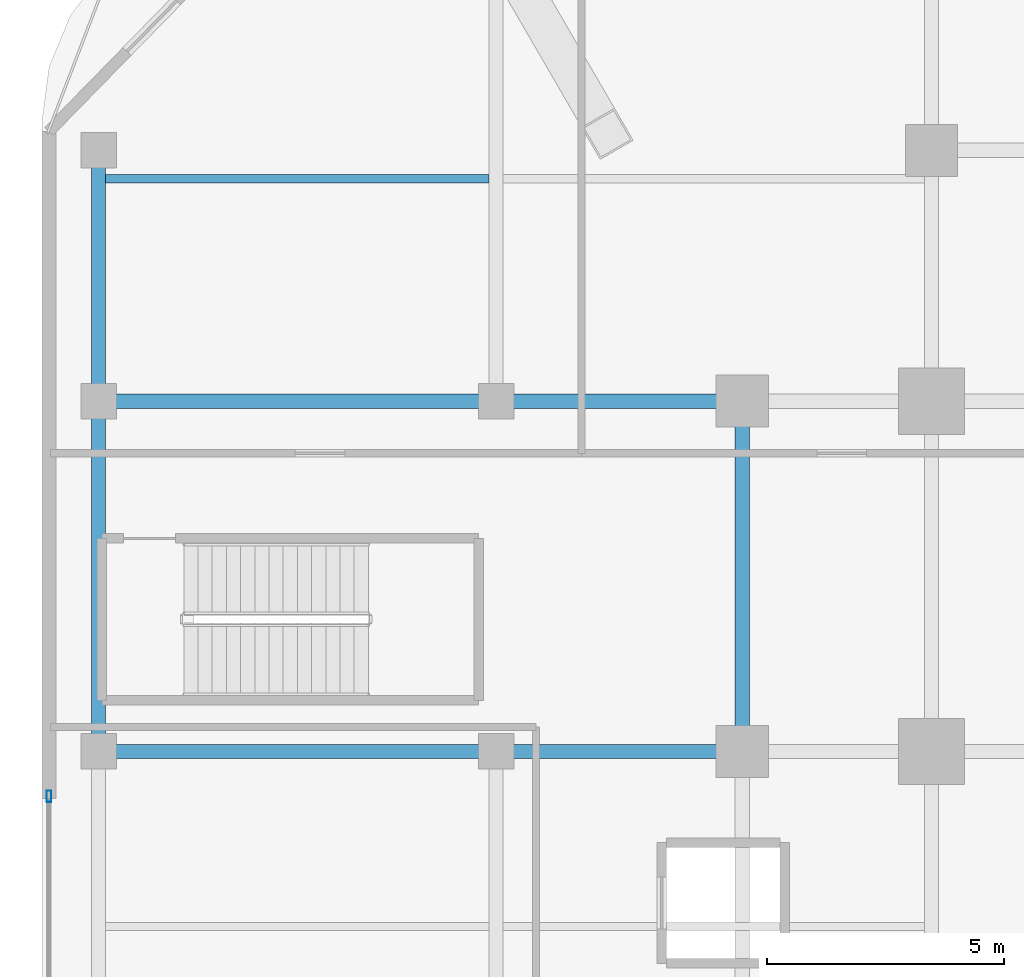
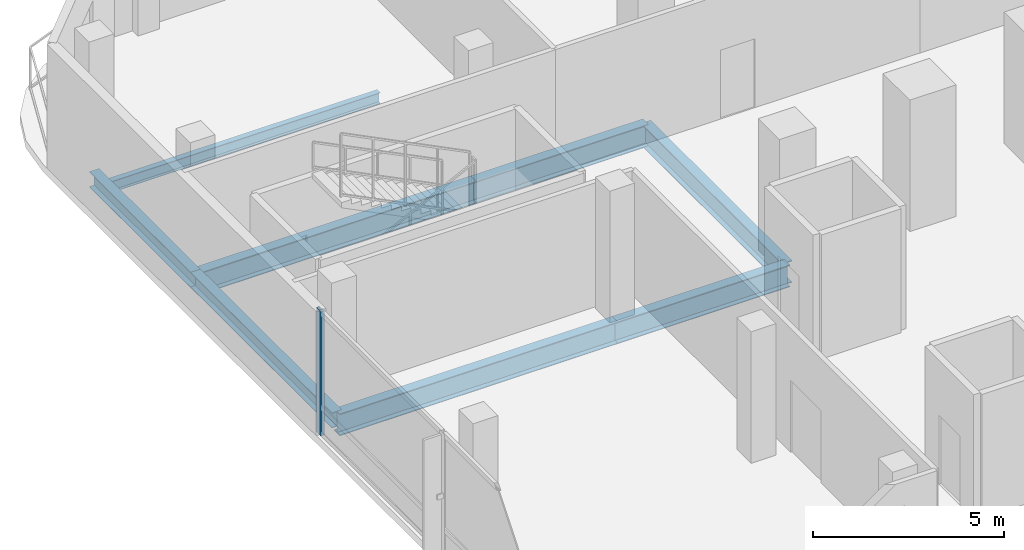
# One storey, part 4 of 19: 8 beams, 1 member, 1 element without a shape of its own.
"""IFC4 building model written with IfcOpenShell, lengths in metres."""

from ifc_helpers import new_model, si_unit, direction, frame, origin, origin_2d, place, context, subcontext, project, spatial, hollow_rectangle, i_section, extrude, material, layer, layer_set, material_profile, profile_set, type_object, element, aggregate, save


model = new_model("IFC4")

# Units and contexts
model_context = context("Model", 3, precision=1e-05, world=origin(), true_north=direction((0.0, 1.0)))
body_context = subcontext(model_context, "Body", "Model", "MODEL_VIEW")
ifc_project = project(units=[si_unit("LENGTHUNIT", "METRE"), si_unit("AREAUNIT", "SQUARE_METRE"), si_unit("VOLUMEUNIT", "CUBIC_METRE"), si_unit("PLANEANGLEUNIT", "RADIAN"), si_unit("MASSUNIT", "GRAM", prefix="KILO")], contexts=[model_context])

# Site, building, storey
site_placement = place(None, origin())
site = spatial("IfcSite", under=ifc_project, at=site_placement, CompositionType="ELEMENT")
building_placement = place(site_placement, origin())
building = spatial("IfcBuilding", under=site, at=building_placement, Name="Khorvyn Point Tower", CompositionType="ELEMENT")
storey_placement = place(building_placement, frame((0.0, 0.0, 4.800048828125)))
storey = spatial("IfcBuildingStorey", under=building, at=storey_placement, Name="L02", CompositionType="ELEMENT", Elevation=4.800048828125)

# Curtain wall, member
ifc_material_1 = material(Name="Anodised aluminium 6063-T6 and laminated Low-E glass", Category="aluminium")
ifc_layer = layer(ifc_material_1, 0.18994140625)
ifc_layer_set = layer_set([ifc_layer], Name="Stick-Built Low-E Podium Curtain Wall CW-SYS-01")
curtain_wall_type = type_object("IfcCurtainWallType", Name="Stick-Built Low-E Podium Curtain Wall CW-SYS-01", PredefinedType="NOTDEFINED", material=ifc_layer_set)
curtain_wall_placement = place(storey_placement, origin())
curtain_wall = element("IfcCurtainWall", 1, at=curtain_wall_placement, inside=storey, type_object=curtain_wall_type, Name="Curtain Wall", PredefinedType="NOTDEFINED")
ifc_material_2 = material(Name="Anodised aluminium 6063-T6", Category="aluminium")
ifc_material_profile_1 = material_profile(ifc_material_2, hollow_rectangle(XDim=0.10009765625, YDim=0.239990234375, WallThickness=0.0048828125, at=origin_2d()))
ifc_profile_set_1 = profile_set([ifc_material_profile_1], Name="Anodised aluminium 6063-T6 ALU-MUL-100x240")
member_type = type_object("IfcMemberType", Name="Anodised Aluminium 6063-T6 Mullion ALU-MUL-100x240", PredefinedType="MULLION", material=ifc_profile_set_1)
member_placement = place(storey_placement, frame((-33.449951171875, 6.449951171875, 0.0), z_axis=(0.0, 0.0, 1.0), x_axis=(-1.0, 0.0, 0.0)))
member = element("IfcMember", 2, at=member_placement, type_object=member_type, Name="Transom", PredefinedType="MULLION", context=body_context, shape_type="SweptSolid", body=[
    extrude(hollow_rectangle(XDim=0.10009765625, YDim=0.239990234375, WallThickness=0.0048828125, at=origin_2d()), origin(), (0.0, 0.0, 1.0), 3.9599609375),
])
aggregate(curtain_wall, [member])

# Beams
ifc_material_3 = material(Name="Steel S355", Category="steel")
ifc_material_profile_2 = material_profile(ifc_material_3, i_section(OverallWidth=0.300048828125, OverallDepth=0.699951171875, WebThickness=0.012939453125, FlangeThickness=0.02392578125, at=origin_2d()))
ifc_profile_set_2 = profile_set([ifc_material_profile_2], Name="Steel S355 H700x300x13x24")
beam_type_1 = type_object("IfcBeamType", Name="Steel S355 Beam H700x300x13x24", PredefinedType="BEAM", material=ifc_profile_set_2)
beam_1_placement = place(storey_placement, frame((-32.39990234375, 7.39990234375, -0.590087890625), z_axis=(1.0, 0.0, 0.0), x_axis=(0.0, 1.0, 0.0)))
element("IfcBeam", 3, at=beam_1_placement, inside=storey, type_object=beam_type_1, Name="Beam", PredefinedType="BEAM", context=body_context, shape_type="SweptSolid", body=[
    extrude(i_section(OverallWidth=0.300048828125, OverallDepth=0.699951171875, WebThickness=0.012939453125, FlangeThickness=0.02392578125, at=origin_2d()), origin(), (0.0, 0.0, 1.0), 8.39990234375),
])
beam_2_placement = place(storey_placement, frame((-24.0, 7.39990234375, -0.590087890625), z_axis=(1.0, 0.0, 0.0), x_axis=(0.0, 1.0, 0.0)))
element("IfcBeam", 4, at=beam_2_placement, inside=storey, type_object=beam_type_1, Name="Beam", PredefinedType="BEAM", context=body_context, shape_type="SweptSolid", body=[
    extrude(i_section(OverallWidth=0.300048828125, OverallDepth=0.699951171875, WebThickness=0.012939453125, FlangeThickness=0.02392578125, at=origin_2d()), origin(), (0.0, 0.0, 1.0), 5.199951171875),
])
beam_3_placement = place(storey_placement, frame((-32.39990234375, 14.800048828125, -0.590087890625), z_axis=(1.0, 0.0, 0.0), x_axis=(0.0, 1.0, 0.0)))
element("IfcBeam", 5, at=beam_3_placement, inside=storey, type_object=beam_type_1, Name="Beam", PredefinedType="BEAM", context=body_context, shape_type="SweptSolid", body=[
    extrude(i_section(OverallWidth=0.300048828125, OverallDepth=0.699951171875, WebThickness=0.012939453125, FlangeThickness=0.02392578125, at=origin_2d()), origin(), (0.0, 0.0, 1.0), 8.39990234375),
])
beam_4_placement = place(storey_placement, frame((-24.0, 14.800048828125, -0.590087890625), z_axis=(1.0, 0.0, 0.0), x_axis=(0.0, 1.0, 0.0)))
element("IfcBeam", 6, at=beam_4_placement, inside=storey, type_object=beam_type_1, Name="Beam", PredefinedType="BEAM", context=body_context, shape_type="SweptSolid", body=[
    extrude(i_section(OverallWidth=0.300048828125, OverallDepth=0.699951171875, WebThickness=0.012939453125, FlangeThickness=0.02392578125, at=origin_2d()), origin(), (0.0, 0.0, 1.0), 5.199951171875),
])
beam_5_placement = place(storey_placement, frame((-18.800048828125, 7.39990234375, -0.590087890625), z_axis=(0.0, 1.0, 0.0), x_axis=(-1.0, 0.0, 0.0)))
element("IfcBeam", 7, at=beam_5_placement, inside=storey, type_object=beam_type_1, Name="Beam", PredefinedType="BEAM", context=body_context, shape_type="SweptSolid", body=[
    extrude(i_section(OverallWidth=0.300048828125, OverallDepth=0.699951171875, WebThickness=0.012939453125, FlangeThickness=0.02392578125, at=origin_2d()), origin(), (0.0, 0.0, 1.0), 7.400146484375),
])
ifc_material_profile_3 = material_profile(ifc_material_3, i_section(OverallWidth=0.175048828125, OverallDepth=0.35009765625, WebThickness=0.007080078125, FlangeThickness=0.010986328125, at=origin_2d()))
ifc_profile_set_3 = profile_set([ifc_material_profile_3], Name="Steel S355 H350x175x7x11")
beam_type_2 = type_object("IfcBeamType", Name="Steel S355 Joist H350x175x7x11", PredefinedType="JOIST", material=ifc_profile_set_3)
beam_6_placement = place(storey_placement, frame((-32.25, 19.5, -0.4150390625), z_axis=(1.0, 0.0, 0.0), x_axis=(0.0, 1.0, 0.0)))
element("IfcBeam", 8, at=beam_6_placement, inside=storey, type_object=beam_type_2, Name="Beam", PredefinedType="JOIST", context=body_context, shape_type="SweptSolid", body=[
    extrude(i_section(OverallWidth=0.175048828125, OverallDepth=0.35009765625, WebThickness=0.007080078125, FlangeThickness=0.010986328125, at=origin_2d()), origin(), (0.0, 0.0, 1.0), 8.10009765625),
])
ifc_material_profile_4 = material_profile(ifc_material_3, i_section(OverallWidth=0.300048828125, OverallDepth=0.488037109375, WebThickness=0.010986328125, FlangeThickness=0.01806640625, at=origin_2d()))
ifc_profile_set_4 = profile_set([ifc_material_profile_4], Name="Steel S355 H488x300x11x18")
beam_type_3 = type_object("IfcBeamType", Name="Steel S355 Spandrel H488x300x11x18", PredefinedType="SPANDREL", material=ifc_profile_set_4)
beam_7_placement = place(storey_placement, frame((-32.39990234375, 7.39990234375, -0.484130859375), z_axis=(0.0, 1.0, 0.0), x_axis=(-1.0, 0.0, 0.0)))
element("IfcBeam", 9, at=beam_7_placement, inside=storey, type_object=beam_type_3, Name="Beam", PredefinedType="SPANDREL", context=body_context, shape_type="SweptSolid", body=[
    extrude(i_section(OverallWidth=0.300048828125, OverallDepth=0.488037109375, WebThickness=0.010986328125, FlangeThickness=0.01806640625, at=origin_2d()), origin(), (0.0, 0.0, 1.0), 7.400146484375),
])
beam_8_placement = place(storey_placement, frame((-32.39990234375, 14.800048828125, -0.484130859375), z_axis=(0.0, 1.0, 0.0), x_axis=(-1.0, 0.0, 0.0)))
element("IfcBeam", 10, at=beam_8_placement, inside=storey, type_object=beam_type_3, Name="Beam", PredefinedType="SPANDREL", context=body_context, shape_type="SweptSolid", body=[
    extrude(i_section(OverallWidth=0.300048828125, OverallDepth=0.488037109375, WebThickness=0.010986328125, FlangeThickness=0.01806640625, at=origin_2d()), origin(), (0.0, 0.0, 1.0), 5.300048828125),
])

save(model, "model.ifc")
